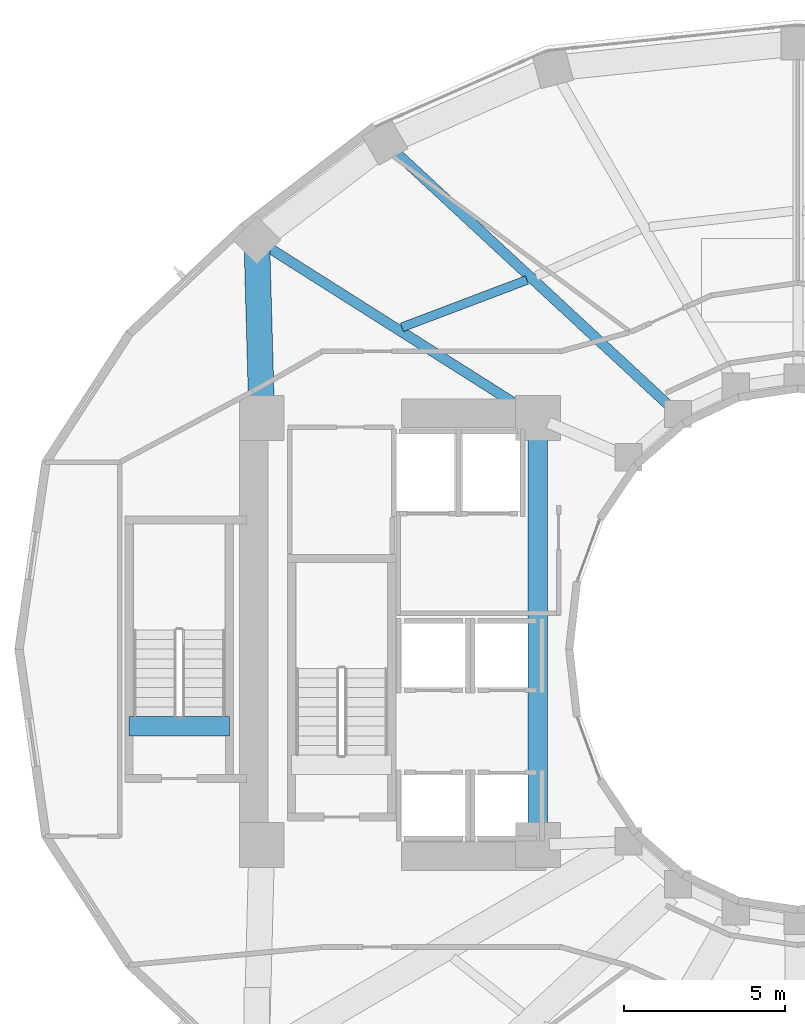
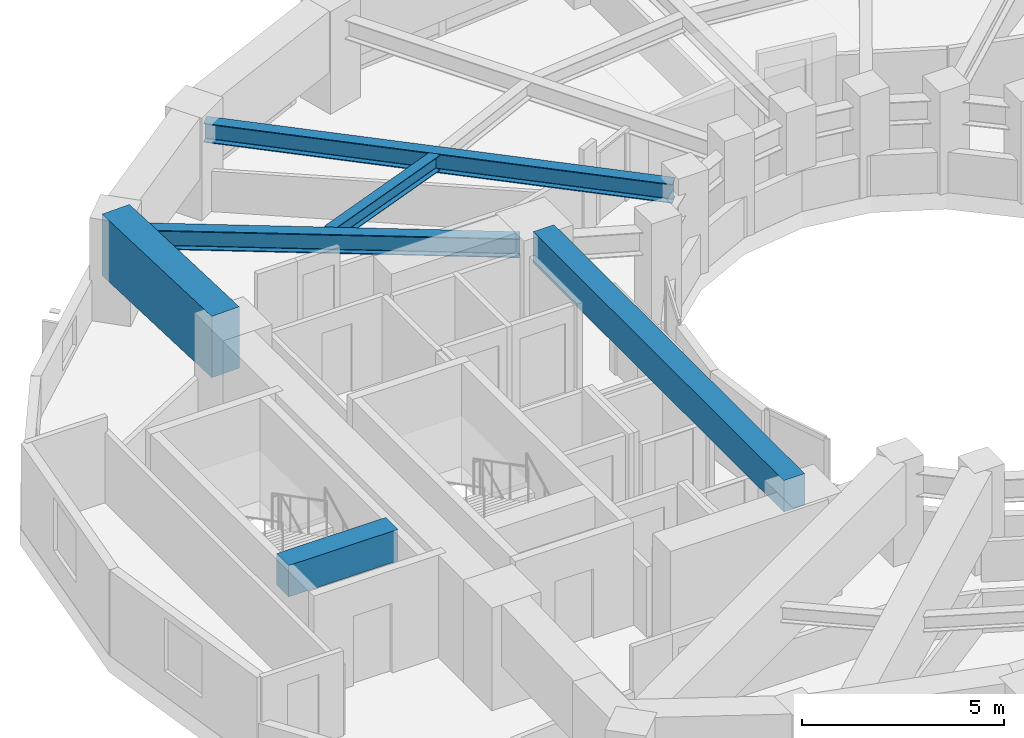
# One storey, part 4 of 19: 6 beams.
"""IFC4 building model written with IfcOpenShell, lengths in metres."""

from ifc_helpers import new_model, si_unit, direction, frame, origin, origin_2d, place, context, subcontext, project, spatial, rectangle, i_section, extrude, material, material_profile, profile_set, type_object, element, save


model = new_model("IFC4")

# Units and contexts
model_context = context("Model", 3, precision=1e-05, world=origin(), true_north=direction((0.0, 1.0)))
body_context = subcontext(model_context, "Body", "Model", "MODEL_VIEW")
ifc_project = project(units=[si_unit("LENGTHUNIT", "METRE"), si_unit("AREAUNIT", "SQUARE_METRE"), si_unit("VOLUMEUNIT", "CUBIC_METRE"), si_unit("PLANEANGLEUNIT", "RADIAN"), si_unit("MASSUNIT", "GRAM", prefix="KILO")], contexts=[model_context])

# Site, building, storey
site_placement = place(None, origin())
site = spatial("IfcSite", under=ifc_project, at=site_placement, CompositionType="ELEMENT")
building_placement = place(site_placement, origin())
building = spatial("IfcBuilding", under=site, at=building_placement, Name="Solvane Sanctuary Tower", CompositionType="ELEMENT")
storey_placement = place(building_placement, frame((0.0, 0.0, 73.199951171875)))
storey = spatial("IfcBuildingStorey", under=building, at=storey_placement, Name="L21", CompositionType="ELEMENT", Elevation=73.199951171875)

# Beams
ifc_material_1 = material(Name="Concrete C70/85", Category="concrete")
ifc_material_profile_1 = material_profile(ifc_material_1, rectangle(XDim=0.60009765625, YDim=0.949951171875, at=origin_2d()), Name="RC600X950")
ifc_profile_set_1 = profile_set([ifc_material_profile_1], Name="Concrete C70/85")
beam_type_1 = type_object("IfcBeamType", Name="Beam B-COUPLE RC600X950", PredefinedType="LINTEL", material=ifc_profile_set_1)
beam_1_placement = place(storey_placement, frame((23.89990234375, 17.35009765625, 2.625), z_axis=(0.0, 1.0, 0.0), x_axis=(-1.0, 0.0, 0.0)))
element("IfcBeam", 1, at=beam_1_placement, inside=storey, type_object=beam_type_1, Name="L21 West Core Coupling Lintel", PredefinedType="LINTEL", context=body_context, shape_type="SweptSolid", body=[
    extrude(rectangle(XDim=0.60009765625, YDim=0.949951171875, at=origin_2d()), origin(), (0.0, 0.0, 1.0), 12.39990234375),
])
beam_2_placement = place(storey_placement, frame((11.169921875, 20.59912109375, 2.625), z_axis=(1.0, 0.0, 0.0), x_axis=(0.0, 1.0, 0.0)))
element("IfcBeam", 2, at=beam_2_placement, inside=storey, type_object=beam_type_1, Name="L21 ST-3 Stair Floor Landing Trimmer", PredefinedType="LINTEL", context=body_context, shape_type="SweptSolid", body=[
    extrude(rectangle(XDim=0.60009765625, YDim=0.949951171875, at=origin_2d()), origin(), (0.0, 0.0, 1.0), 3.1201171875),
])
ifc_material_2 = material(Name="Steel ASTM A992 Grade 50", Category="steel")
ifc_material_profile_2 = material_profile(ifc_material_2, i_section(OverallWidth=0.31494140625, OverallDepth=0.575927734375, WebThickness=0.01513671875, FlangeThickness=0.0244140625, FilletRadius=0.014892578125, at=origin_2d()), Name="W21X122")
ifc_profile_set_2 = profile_set([ifc_material_profile_2], Name="Steel ASTM A992 Grade 50")
beam_type_2 = type_object("IfcBeamType", Name="Beam B-RAD-Z2 W21X122", PredefinedType="BEAM", material=ifc_profile_set_2)
beam_3_placement = place(storey_placement, frame((28.064697265625, 30.516845703125, 2.31005859375), z_axis=(-0.733453775248, 0.679739332078, 0.0), x_axis=(-0.679739332078, -0.733453775248, 0.0)))
element("IfcBeam", 3, at=beam_3_placement, inside=storey, type_object=beam_type_2, Name="L21 Radial Composite Floor Beam 06", PredefinedType="BEAM", context=body_context, shape_type="SweptSolid", body=[
    extrude(i_section(OverallWidth=0.31494140625, OverallDepth=0.575927734375, WebThickness=0.01513671875, FlangeThickness=0.0244140625, FilletRadius=0.014892578125, at=origin_2d()), origin(), (0.0, 0.0, 1.0), 11.885498046875),
])
beam_4_placement = place(storey_placement, frame((23.595947265625, 30.392578125, 2.31005859375), z_axis=(-0.844853889678, 0.534997107558, 0.0), x_axis=(-0.534997107558, -0.844853889678, 0.0)))
element("IfcBeam", 4, at=beam_4_placement, inside=storey, type_object=beam_type_2, Name="L21 Radial Composite Floor Beam 07", PredefinedType="BEAM", context=body_context, shape_type="SweptSolid", body=[
    extrude(i_section(OverallWidth=0.31494140625, OverallDepth=0.575927734375, WebThickness=0.01513671875, FlangeThickness=0.0244140625, FilletRadius=0.014892578125, at=origin_2d()), origin(), (0.0, 0.0, 1.0), 9.720458984375),
])
ifc_material_profile_3 = material_profile(ifc_material_2, i_section(OverallWidth=0.280029296875, OverallDepth=0.462890625, WebThickness=0.0107421875, FlangeThickness=0.017333984375, FilletRadius=0.013916015625, at=origin_2d()), Name="W18X76")
ifc_profile_set_3 = profile_set([ifc_material_profile_3], Name="Steel ASTM A992 Grade 50")
beam_type_3 = type_object("IfcBeamType", Name="Beam B-SEC-JOIST W18X76", PredefinedType="JOIST", material=ifc_profile_set_3)
beam_5_placement = place(storey_placement, frame((19.666015625, 33.025390625, 2.366455078125), z_axis=(0.93509327646, 0.354401699091, 0.0), x_axis=(-0.354401699091, 0.93509327646, 0.0)))
element("IfcBeam", 5, at=beam_5_placement, inside=storey, type_object=beam_type_3, Name="L21 Secondary Circumferential Joist 07-06", PredefinedType="JOIST", context=body_context, shape_type="SweptSolid", body=[
    extrude(i_section(OverallWidth=0.280029296875, OverallDepth=0.462890625, WebThickness=0.0107421875, FlangeThickness=0.017333984375, FilletRadius=0.013916015625, at=origin_2d()), origin(), (0.0, 0.0, 1.0), 4.167724609375),
])
ifc_material_profile_4 = material_profile(ifc_material_1, rectangle(XDim=0.800048828125, YDim=1.85009765625, at=origin_2d()), Name="RC800X1850")
ifc_profile_set_4 = profile_set([ifc_material_profile_4], Name="Concrete C70/85")
beam_type_4 = type_object("IfcBeamType", Name="Beam B-XFER-BLK RC800X1850", PredefinedType="BEAM", material=ifc_profile_set_4)
beam_6_placement = place(storey_placement, frame((15.2900390625, 30.559814453125, 2.175048828125), z_axis=(-0.027591940282, 0.999619269938, 0.0), x_axis=(-0.999619269938, -0.027591940282, 0.0)))
element("IfcBeam", 6, at=beam_6_placement, inside=storey, type_object=beam_type_4, Name="L21 Perimeter Step Transfer Ring CW4-NTC07", PredefinedType="BEAM", context=body_context, shape_type="SweptSolid", body=[
    extrude(rectangle(XDim=0.800048828125, YDim=1.85009765625, at=origin_2d()), origin(), (0.0, 0.0, 1.0), 5.18505859375),
])

save(model, "model.ifc")
